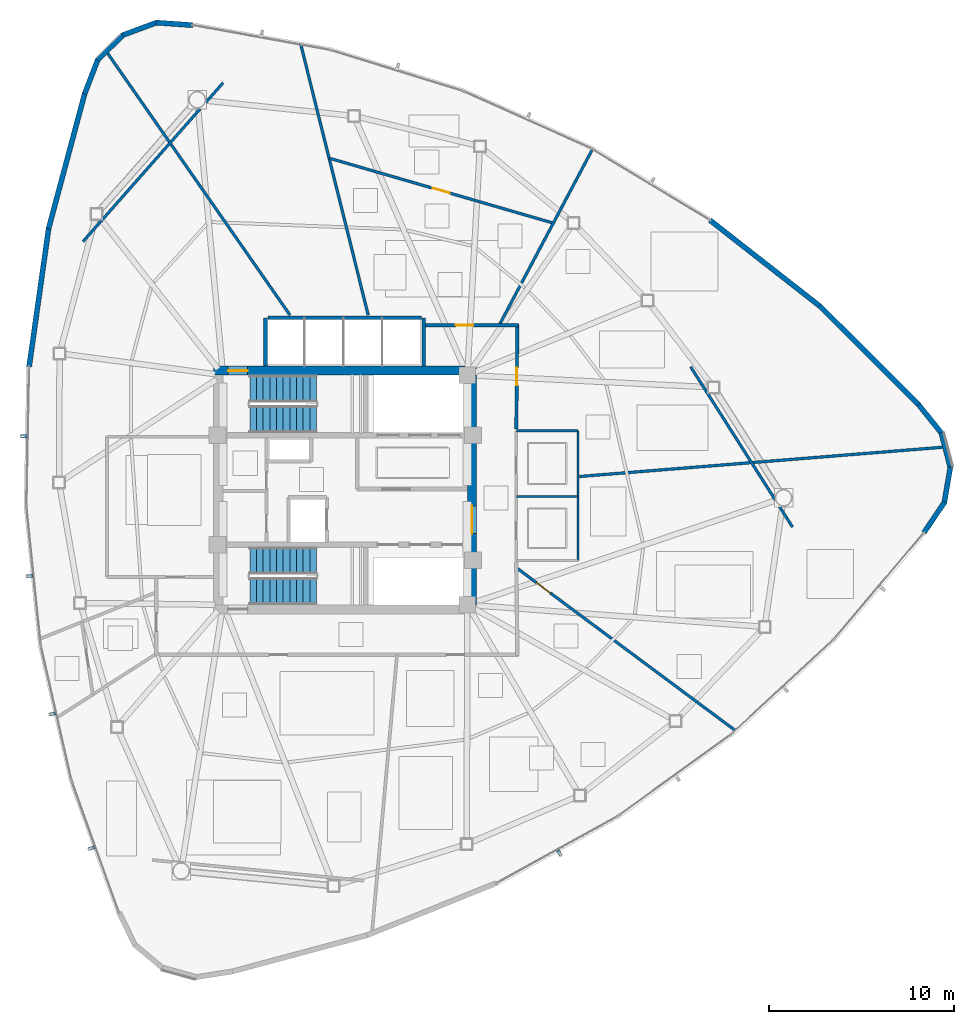
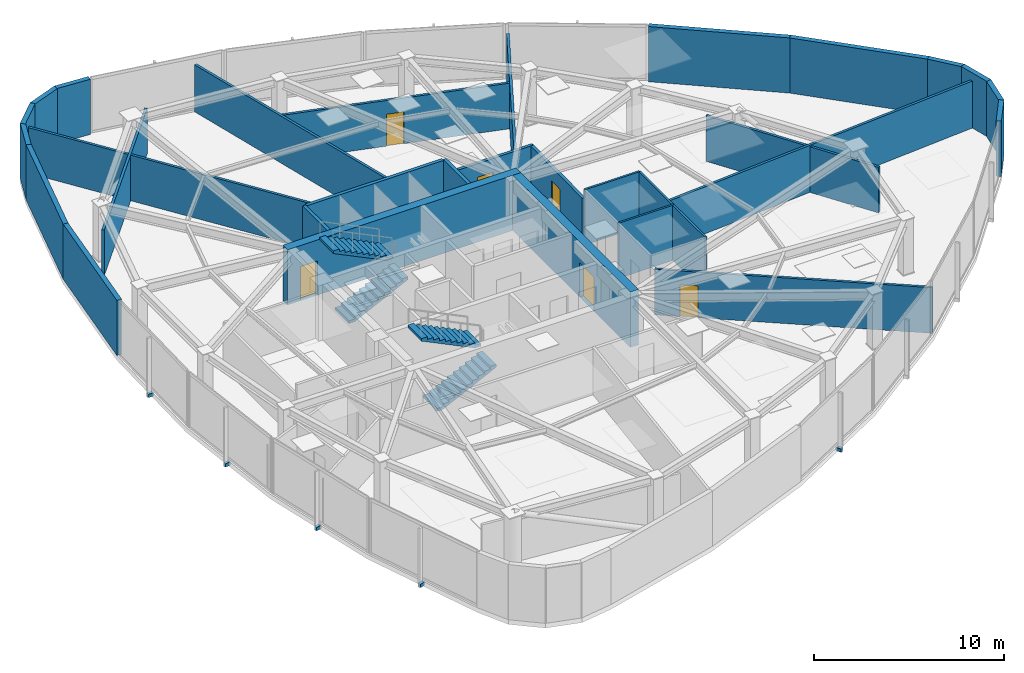
# One storey, part 12 of 17: 30 walls, 6 doors, 5 discrete accessories, 4 stair flights, 6 openings, 2 elements without a shape of their own.
"""IFC4 building model written with IfcOpenShell, lengths in metres."""

from ifc_helpers import new_model, si_unit, direction, frame, frame_2d, origin, origin_2d, place, context, subcontext, project, spatial, polyline, rectangle, outline, extrude, source, transform, mapped, material, layer, layer_set, type_object, type_shapes, element, fill, aggregate, save


model = new_model("IFC4")

# Units and contexts
model_context = context("Model", 3, precision=1e-05, world=origin(), true_north=direction((0.0, 1.0)))
body_context = subcontext(model_context, "Body", "Model", "MODEL_VIEW")
ifc_project = project(units=[si_unit("LENGTHUNIT", "METRE"), si_unit("AREAUNIT", "SQUARE_METRE"), si_unit("VOLUMEUNIT", "CUBIC_METRE"), si_unit("PLANEANGLEUNIT", "RADIAN"), si_unit("MASSUNIT", "GRAM", prefix="KILO")], contexts=[model_context])

# Site, building, storey
site_placement = place(None, origin())
site = spatial("IfcSite", under=ifc_project, at=site_placement, CompositionType="ELEMENT")
building_placement = place(site_placement, origin())
building = spatial("IfcBuilding", under=site, at=building_placement, Name="Tavelor Broadcast Tower", CompositionType="ELEMENT")
storey_placement = place(building_placement, frame((0.0, 0.0, 169.5)))
storey = spatial("IfcBuildingStorey", under=building, at=storey_placement, Name="L40", CompositionType="ELEMENT", Elevation=169.5)

# Wall, opening, door
ifc_material_1 = material(Name="Concrete C50/60", Category="concrete")
ifc_layer_1 = layer(ifc_material_1, 0.5)
ifc_layer_set_1 = layer_set([ifc_layer_1], Name="Concrete C50/60")
wall_type_1 = type_object("IfcWallType", Name="Core Shear Wall 500 mm", PredefinedType="SHEAR", material=ifc_layer_set_1)
wall_1_placement = place(storey_placement, frame((42.89990234375, 51.449951171875, 0.0), z_axis=(0.0, 0.0, 1.0), x_axis=(1.0, 0.0, 0.0)))
wall_1 = element("IfcWall", 1, at=wall_1_placement, inside=storey, type_object=wall_type_1, Name="L40 Central Core Shear Wall N", PredefinedType="SHEAR", context=body_context, shape_type="SweptSolid", body=[
    extrude(rectangle(XDim=14.2001953125, YDim=0.5, at=frame_2d((7.10009765625, 0.0))), origin(), (0.0, 0.0, 1.0), 3.550048828125),
])
opening_1_placement = place(wall_1_placement, frame((0.780029296875, 0.0, 0.0)))
opening_1 = element("IfcOpeningElement", 2, at=opening_1_placement, cuts=wall_1, Name="Opening DR11", PredefinedType="OPENING", context=body_context, shape_type="SweptSolid", body=[
    extrude(rectangle(XDim=1.050048828125, YDim=2.199951171875, at=frame_2d((0.52490234375, 1.10009765625))), frame((0.0, 0.260009765625, 0.0), z_axis=(0.0, -1.0, 0.0), x_axis=(1.0, 0.0, 0.0)), (0.0, 0.0, 1.0), 0.52001953125),
])
ifc_material_2 = material(Name="Steel S355", Category="steel")
door_type_1 = type_object("IfcDoorType", Name="Stair Core Fire Escape Door 1050x2200", OperationType="NOTDEFINED", PredefinedType="DOOR", material=ifc_material_2)
door_1_placement = place(opening_1_placement, origin())
door_1 = element("IfcDoor", 3, at=door_1_placement, inside=storey, type_object=door_type_1, Name="L40 Stair ST1 Protected Exit Door", OperationType="SINGLE_SWING_LEFT", OverallHeight=2.199951171875, OverallWidth=1.050048828125, PredefinedType="DOOR", context=body_context, shape_type="SweptSolid", body=[
    extrude(rectangle(XDim=1.050048828125, YDim=2.199951171875, at=frame_2d((0.52490234375, 1.10009765625))), frame((0.0, 0.02490234375, 0.0), z_axis=(0.0, -1.0, 0.0), x_axis=(1.0, 0.0, 0.0)), (0.0, 0.0, 1.0), 0.050048828125),
])
fill(opening_1, door_1)

wall_2_placement = place(storey_placement, frame((56.85009765625, 38.800048828125, 0.0), z_axis=(0.0, 0.0, 1.0), x_axis=(0.0, 1.0, 0.0)))
wall_2 = element("IfcWall", 4, at=wall_2_placement, inside=storey, type_object=wall_type_1, Name="L40 Central Core Shear Wall E", PredefinedType="SHEAR", context=body_context, shape_type="SweptSolid", body=[
    extrude(rectangle(XDim=12.39990234375, YDim=0.5, at=frame_2d((6.199951171875, 0.0))), origin(), (0.0, 0.0, 1.0), 3.550048828125),
])
opening_2_placement = place(wall_2_placement, frame((3.85009765625, 0.0, 0.0)))
opening_2 = element("IfcOpeningElement", 5, at=opening_2_placement, cuts=wall_2, Name="Opening DR14", PredefinedType="OPENING", context=body_context, shape_type="SweptSolid", body=[
    extrude(rectangle(XDim=1.5, YDim=2.199951171875, at=frame_2d((0.75, 1.10009765625))), frame((0.0, 0.260009765625, 0.0), z_axis=(0.0, -1.0, 0.0), x_axis=(1.0, 0.0, 0.0)), (0.0, 0.0, 1.0), 0.52001953125),
])
door_type_2 = type_object("IfcDoorType", Name="Firefighting Lobby Double Fire Door 1500x2200", OperationType="NOTDEFINED", PredefinedType="DOOR", material=ifc_material_2)
door_2_placement = place(opening_2_placement, origin())
door_2 = element("IfcDoor", 6, at=door_2_placement, inside=storey, type_object=door_type_2, Name="L40 Central Core Lobby Fire Door", OperationType="SINGLE_SWING_LEFT", OverallHeight=2.199951171875, OverallWidth=1.5, PredefinedType="DOOR", context=body_context, shape_type="SweptSolid", body=[
    extrude(rectangle(XDim=1.5, YDim=2.199951171875, at=frame_2d((0.75, 1.10009765625))), frame((0.0, 0.02490234375, 0.0), z_axis=(0.0, -1.0, 0.0), x_axis=(1.0, 0.0, 0.0)), (0.0, 0.0, 1.0), 0.050048828125),
])
fill(opening_2, door_2)

ifc_material_3 = material(Name="Calcium Silicate Fire Board 180 mm", Category="gypsum")
ifc_layer_2 = layer(ifc_material_3, 0.179931640625)
ifc_layer_set_2 = layer_set([ifc_layer_2], Name="Calcium Silicate Fire Board 180 mm")
wall_type_2 = type_object("IfcWallType", Name="Fire-Rated Corridor Partition Wall 180 mm", PredefinedType="PARTITIONING", material=ifc_layer_set_2)
wall_3_placement = place(storey_placement, frame((54.300048828125, 53.89990234375, 0.0), z_axis=(0.0, 0.0, 1.0), x_axis=(1.0, 0.0, 0.0)))
wall_3 = element("IfcWall", 7, at=wall_3_placement, inside=storey, type_object=wall_type_2, Name="L40 Corridor Compartment Wall 01", PredefinedType="PARTITIONING", context=body_context, shape_type="SweptSolid", body=[
    extrude(rectangle(XDim=5.050048828125, YDim=0.179931640625, at=frame_2d((2.52490234375, 0.0))), origin(), (0.0, 0.0, 1.0), 2.93505859375),
])
opening_3_placement = place(wall_3_placement, frame((1.67431640625, 0.0, 0.0)))
opening_3 = element("IfcOpeningElement", 8, at=opening_3_placement, cuts=wall_3, Name="Opening DR18", PredefinedType="OPENING", context=body_context, shape_type="SweptSolid", body=[
    extrude(rectangle(XDim=0.949951171875, YDim=2.050048828125, at=frame_2d((0.47509765625, 1.02490234375))), frame((0.0, 0.10009765625, 0.0), z_axis=(0.0, -1.0, 0.0), x_axis=(1.0, 0.0, 0.0)), (0.0, 0.0, 1.0), 0.199951171875),
])
ifc_material_4 = material(Name="Timber Solid Core Hardwood", Category="wood")
door_type_3 = type_object("IfcDoorType", Name="Corridor Rated Compartment Door 950x2050", OperationType="NOTDEFINED", PredefinedType="DOOR", material=ifc_material_4)
door_3_placement = place(opening_3_placement, origin())
door_3 = element("IfcDoor", 9, at=door_3_placement, inside=storey, type_object=door_type_3, Name="L40 Technical Mail and Post Room Door R8", OperationType="SINGLE_SWING_LEFT", OverallHeight=2.050048828125, OverallWidth=0.949951171875, PredefinedType="DOOR", context=body_context, shape_type="SweptSolid", body=[
    extrude(rectangle(XDim=0.949951171875, YDim=2.050048828125, at=frame_2d((0.47509765625, 1.02490234375))), frame((0.0, 0.02490234375, 0.0), z_axis=(0.0, -1.0, 0.0), x_axis=(1.0, 0.0, 0.0)), (0.0, 0.0, 1.0), 0.050048828125),
])
fill(opening_3, door_3)

wall_4_placement = place(storey_placement, frame((59.300537109375, 53.949951171875, 0.0), z_axis=(0.0, 0.0, 1.0), x_axis=(-0.010629422803, -0.99994350609, 0.0)))
wall_4 = element("IfcWall", 10, at=wall_4_placement, inside=storey, type_object=wall_type_2, Name="L40 Corridor Compartment Wall 02", PredefinedType="PARTITIONING", context=body_context, shape_type="SweptSolid", body=[
    extrude(rectangle(XDim=5.650146484375, YDim=0.179931640625, at=frame_2d((2.8251953125, 0.0))), origin(), (0.0, 0.0, 1.0), 2.93505859375),
])
opening_4_placement = place(wall_4_placement, frame((2.35009765625, 0.0, 0.0)))
opening_4 = element("IfcOpeningElement", 11, at=opening_4_placement, cuts=wall_4, Name="Opening DR18", PredefinedType="OPENING", context=body_context, shape_type="SweptSolid", body=[
    extrude(rectangle(XDim=0.949951171875, YDim=2.050048828125, at=frame_2d((0.47509765625, 1.02490234375))), frame((0.0, 0.10009765625, 0.0), z_axis=(0.0, -1.0, 0.0), x_axis=(1.0, 0.0, 0.0)), (0.0, 0.0, 1.0), 0.199951171875),
])
door_4_placement = place(opening_4_placement, origin())
door_4 = element("IfcDoor", 12, at=door_4_placement, inside=storey, type_object=door_type_3, Name="L40 Digital Publishing Workspace Door R6", OperationType="SINGLE_SWING_RIGHT", OverallHeight=2.050048828125, OverallWidth=0.949951171875, PredefinedType="DOOR", context=body_context, shape_type="SweptSolid", body=[
    extrude(rectangle(XDim=0.949951171875, YDim=2.050048828125, at=frame_2d((0.47509765625, 1.02490234375))), frame((0.0, 0.02490234375, 0.0), z_axis=(0.0, -1.0, 0.0), x_axis=(1.0, 0.0, 0.0)), (0.0, 0.0, 1.0), 0.050048828125),
])
fill(opening_4, door_4)

# Walls
ifc_material_5 = material(Name="Precast Concrete C40/50", Category="concrete")
ifc_layer_3 = layer(ifc_material_5, 0.280029296875)
ifc_layer_set_3 = layer_set([ifc_layer_3], Name="Precast Concrete C40/50")
wall_type_3 = type_object("IfcWallType", Name="Insulated Precast Terracotta Facade Wall 280 mm", PredefinedType="STANDARD", material=ifc_layer_set_3)
wall_5_placement = place(storey_placement, frame((41.754150390625, 70.10693359375, 0.0), z_axis=(0.0, 0.0, 1.0), x_axis=(-0.997501376627, 0.070647035512, 0.0)))
element("IfcWall", 13, at=wall_5_placement, inside=storey, type_object=wall_type_3, Name="L40 Rounded Corner Structural Cladding Pier 01", PredefinedType="STANDARD", context=body_context, shape_type="SweptSolid", body=[
    extrude(rectangle(XDim=1.96630859375, YDim=0.280029296875, at=frame_2d((0.983154296875, 0.0))), origin(), (0.0, 0.0, 1.0), 3.550048828125),
])
wall_6_placement = place(storey_placement, frame((39.82177734375, 70.25, 0.0), z_axis=(0.0, 0.0, 1.0), x_axis=(-0.938204439419, -0.346081536426, 0.0)))
element("IfcWall", 14, at=wall_6_placement, inside=storey, type_object=wall_type_3, Name="L40 Rounded Corner Structural Cladding Pier 02", PredefinedType="STANDARD", context=body_context, shape_type="SweptSolid", body=[
    extrude(rectangle(XDim=1.954833984375, YDim=0.280029296875, at=frame_2d((0.9775390625, 0.0))), origin(), (0.0, 0.0, 1.0), 3.550048828125),
])
wall_7_placement = place(storey_placement, frame((38.0126953125, 69.589111328125, 0.0), z_axis=(0.0, 0.0, 1.0), x_axis=(-0.712705144736, -0.701463738668, 0.0)))
element("IfcWall", 15, at=wall_7_placement, inside=storey, type_object=wall_type_3, Name="L40 Rounded Corner Structural Cladding Pier 03", PredefinedType="STANDARD", context=body_context, shape_type="SweptSolid", body=[
    extrude(rectangle(XDim=1.95458984375, YDim=0.280029296875, at=frame_2d((0.977294921875, 0.0))), origin(), (0.0, 0.0, 1.0), 3.550048828125),
])
wall_8_placement = place(storey_placement, frame((36.6357421875, 68.242431640625, 0.0), z_axis=(0.0, 0.0, 1.0), x_axis=(-0.36076548545, -0.932656563001, 0.0)))
element("IfcWall", 16, at=wall_8_placement, inside=storey, type_object=wall_type_3, Name="L40 Rounded Corner Structural Cladding Pier 04", PredefinedType="STANDARD", context=body_context, shape_type="SweptSolid", body=[
    extrude(rectangle(XDim=1.977294921875, YDim=0.280029296875, at=frame_2d((0.98876953125, 0.0))), origin(), (0.0, 0.0, 1.0), 3.550048828125),
])
wall_9_placement = place(storey_placement, frame((35.931640625, 66.4267578125, 0.0), z_axis=(0.0, 0.0, 1.0), x_axis=(-0.258417390999, -0.966033359688, 0.0)))
element("IfcWall", 17, at=wall_9_placement, inside=storey, type_object=wall_type_3, Name="L40 Rounded Corner Structural Cladding Pier 05", PredefinedType="STANDARD", context=body_context, shape_type="SweptSolid", body=[
    extrude(rectangle(XDim=7.5693359375, YDim=0.280029296875, at=frame_2d((3.78466796875, 0.0))), origin(), (0.0, 0.0, 1.0), 3.550048828125),
])
wall_10_placement = place(storey_placement, frame((33.9814453125, 59.143798828125, 0.0), z_axis=(0.0, 0.0, 1.0), x_axis=(-0.139593892342, -0.990208839196, 0.0)))
element("IfcWall", 18, at=wall_10_placement, inside=storey, type_object=wall_type_3, Name="L40 Rounded Corner Structural Cladding Pier 06", PredefinedType="STANDARD", context=body_context, shape_type="SweptSolid", body=[
    extrude(rectangle(XDim=7.55712890625, YDim=0.280029296875, at=frame_2d((3.778564453125, 0.0))), origin(), (0.0, 0.0, 1.0), 3.550048828125),
])
wall_11_placement = place(storey_placement, frame((81.26611328125, 42.705322265625, 0.0), z_axis=(0.0, 0.0, 1.0), x_axis=(0.559961081022, 0.82851891212, 0.0)))
element("IfcWall", 19, at=wall_11_placement, inside=storey, type_object=wall_type_3, Name="L40 Rounded Corner Structural Cladding Pier 21", PredefinedType="STANDARD", context=body_context, shape_type="SweptSolid", body=[
    extrude(rectangle(XDim=1.96630859375, YDim=0.280029296875, at=frame_2d((0.983154296875, 0.0))), origin(), (0.0, 0.0, 1.0), 3.550048828125),
])
wall_12_placement = place(storey_placement, frame((82.356201171875, 44.307373046875, 0.0), z_axis=(0.0, 0.0, 1.0), x_axis=(0.169358991923, 0.985554428662, 0.0)))
element("IfcWall", 20, at=wall_12_placement, inside=storey, type_object=wall_type_3, Name="L40 Rounded Corner Structural Cladding Pier 22", PredefinedType="STANDARD", context=body_context, shape_type="SweptSolid", body=[
    extrude(rectangle(XDim=1.954833984375, YDim=0.280029296875, at=frame_2d((0.9775390625, 0.0))), origin(), (0.0, 0.0, 1.0), 3.550048828125),
])
wall_13_placement = place(storey_placement, frame((82.6884765625, 46.20458984375, 0.0), z_axis=(0.0, 0.0, 1.0), x_axis=(-0.251196239359, 0.967936180402, 0.0)))
element("IfcWall", 21, at=wall_13_placement, inside=storey, type_object=wall_type_3, Name="L40 Rounded Corner Structural Cladding Pier 23", PredefinedType="STANDARD", context=body_context, shape_type="SweptSolid", body=[
    extrude(rectangle(XDim=1.95458984375, YDim=0.280029296875, at=frame_2d((0.977294921875, 0.0))), origin(), (0.0, 0.0, 1.0), 3.550048828125),
])
wall_14_placement = place(storey_placement, frame((82.210693359375, 48.0703125, 0.0), z_axis=(0.0, 0.0, 1.0), x_axis=(-0.627356577489, 0.778732126396, 0.0)))
element("IfcWall", 22, at=wall_14_placement, inside=storey, type_object=wall_type_3, Name="L40 Rounded Corner Structural Cladding Pier 24", PredefinedType="STANDARD", context=body_context, shape_type="SweptSolid", body=[
    extrude(rectangle(XDim=1.977294921875, YDim=0.280029296875, at=frame_2d((0.98876953125, 0.0))), origin(), (0.0, 0.0, 1.0), 3.550048828125),
])
wall_15_placement = place(storey_placement, frame((80.990234375, 49.587890625, 0.0), z_axis=(0.0, 0.0, 1.0), x_axis=(-0.707397008537, 0.706816434665, 0.0)))
element("IfcWall", 23, at=wall_15_placement, inside=storey, type_object=wall_type_3, Name="L40 Rounded Corner Structural Cladding Pier 25", PredefinedType="STANDARD", context=body_context, shape_type="SweptSolid", body=[
    extrude(rectangle(XDim=7.5693359375, YDim=0.280029296875, at=frame_2d((3.78466796875, 0.0))), origin(), (0.0, 0.0, 1.0), 3.550048828125),
])
wall_16_placement = place(storey_placement, frame((75.658203125, 54.918212890625, 0.0), z_axis=(0.0, 0.0, 1.0), x_axis=(-0.787742179361, 0.616005080219, 0.0)))
element("IfcWall", 24, at=wall_16_placement, inside=storey, type_object=wall_type_3, Name="L40 Rounded Corner Structural Cladding Pier 26", PredefinedType="STANDARD", context=body_context, shape_type="SweptSolid", body=[
    extrude(rectangle(XDim=7.55712890625, YDim=0.280029296875, at=frame_2d((3.778564453125, 0.0))), origin(), (0.0, 0.0, 1.0), 3.550048828125),
])
ifc_material_6 = material(Name="Gypsum Acoustic Plasterboard 150 mm", Category="gypsum")
ifc_layer_4 = layer(ifc_material_6, 0.14990234375)
ifc_layer_set_4 = layer_set([ifc_layer_4], Name="Gypsum Acoustic Plasterboard 150 mm")
wall_type_4 = type_object("IfcWallType", Name="Interior Acoustic Partition Wall 150 mm", PredefinedType="PARTITIONING", material=ifc_layer_set_4)
wall_17_placement = place(storey_placement, frame((43.399658203125, 66.988525390625, 0.0), z_axis=(0.0, 0.0, 1.0), x_axis=(-0.661622343701, -0.749837231881, 0.0)))
element("IfcWall", 25, at=wall_17_placement, inside=storey, type_object=wall_type_4, Name="L40 Corner Tube Brace Furring Wall 1", PredefinedType="PARTITIONING", context=body_context, shape_type="SweptSolid", body=[
    extrude(rectangle(XDim=11.42724609375, YDim=0.14990234375, at=frame_2d((5.713623046875, 0.0))), origin(), (0.0, 0.0, 1.0), 2.93505859375),
])
wall_18_placement = place(storey_placement, frame((74.16259765625, 42.9931640625, 0.0), z_axis=(0.0, 0.0, 1.0), x_axis=(-0.53628142437, 0.844039237166, 0.0)))
element("IfcWall", 26, at=wall_18_placement, inside=storey, type_object=wall_type_4, Name="L40 Corner Tube Brace Furring Wall 3", PredefinedType="PARTITIONING", context=body_context, shape_type="SweptSolid", body=[
    extrude(rectangle(XDim=10.266845703125, YDim=0.14990234375, at=frame_2d((5.13330078125, 0.0))), origin(), (0.0, 0.0, 1.0), 2.93505859375),
])
wall_19_placement = place(storey_placement, frame((51.243896484375, 54.449951171875, 0.0), z_axis=(0.0, 0.0, 1.0), x_axis=(-0.241925259113, 0.970294887652, 0.0)))
element("IfcWall", 27, at=wall_19_placement, inside=storey, type_object=wall_type_4, Name="L40 Radial Compartment Wall 01", PredefinedType="PARTITIONING", context=body_context, shape_type="SweptSolid", body=[
    extrude(rectangle(XDim=15.0595703125, YDim=0.14990234375, at=frame_2d((7.52978515625, 0.0))), origin(), (0.0, 0.0, 1.0), 3.02490234375),
])
wall_20_placement = place(storey_placement, frame((47.0166015625, 54.449951171875, 0.0), z_axis=(0.0, 0.0, 1.0), x_axis=(-0.571606525972, 0.820527866356, 0.0)))
element("IfcWall", 28, at=wall_20_placement, inside=storey, type_object=wall_type_4, Name="L40 Radial Compartment Wall 02", PredefinedType="PARTITIONING", context=body_context, shape_type="SweptSolid", body=[
    extrude(rectangle(XDim=17.363037109375, YDim=0.14990234375, at=frame_2d((8.681640625, 0.0))), origin(), (0.0, 0.0, 1.0), 2.93505859375),
])

# Wall, opening, door
wall_21_placement = place(storey_placement, frame((59.244140625, 40.80419921875, 0.0), z_axis=(0.0, 0.0, 1.0), x_axis=(0.80252006717, -0.596625126682, 0.0)))
wall_21 = element("IfcWall", 29, at=wall_21_placement, inside=storey, type_object=wall_type_4, Name="L40 Radial Compartment Wall 06", PredefinedType="PARTITIONING", context=body_context, shape_type="SweptSolid", body=[
    extrude(rectangle(XDim=14.74609375, YDim=0.14990234375, at=frame_2d((7.373046875, 0.0))), origin(), (0.0, 0.0, 1.0), 2.93505859375),
])
opening_5_placement = place(wall_21_placement, frame((1.35009765625, 0.0, 0.0)))
opening_5 = element("IfcOpeningElement", 30, at=opening_5_placement, cuts=wall_21, Name="Opening DR18", PredefinedType="OPENING", context=body_context, shape_type="SweptSolid", body=[
    extrude(rectangle(XDim=0.949951171875, YDim=2.050048828125, at=frame_2d((0.47509765625, 1.02490234375))), frame((0.0, 0.0849609375, 0.0), z_axis=(0.0, -1.0, 0.0), x_axis=(1.0, 0.0, 0.0)), (0.0, 0.0, 1.0), 0.169921875),
])
door_5_placement = place(opening_5_placement, origin())
door_5 = element("IfcDoor", 31, at=door_5_placement, inside=storey, type_object=door_type_3, Name="L40 Suite Connecting Door 7", OperationType="SINGLE_SWING_RIGHT", OverallHeight=2.050048828125, OverallWidth=0.949951171875, PredefinedType="DOOR", context=body_context, shape_type="SweptSolid", body=[
    extrude(rectangle(XDim=0.949951171875, YDim=2.050048828125, at=frame_2d((0.47509765625, 1.02490234375))), frame((0.0, 0.02490234375, 0.0), z_axis=(0.0, -1.0, 0.0), x_axis=(1.0, 0.0, 0.0)), (0.0, 0.0, 1.0), 0.050048828125),
])
fill(opening_5, door_5)

# Walls
wall_22_placement = place(storey_placement, frame((62.64990234375, 45.7294921875, 0.0), z_axis=(0.0, 0.0, 1.0), x_axis=(0.996766692053, 0.080350243401, 0.0)))
element("IfcWall", 32, at=wall_22_placement, inside=storey, type_object=wall_type_4, Name="L40 Radial Compartment Wall 07", PredefinedType="PARTITIONING", context=body_context, shape_type="SweptSolid", body=[
    extrude(rectangle(XDim=19.822998046875, YDim=0.14990234375, at=frame_2d((9.91162109375, 0.0))), origin(), (0.0, 0.0, 1.0), 3.02490234375),
])
wall_23_placement = place(storey_placement, frame((58.31689453125, 53.89990234375, 0.0), z_axis=(0.0, 0.0, 1.0), x_axis=(0.468264948914, 0.88358810405, 0.0)))
element("IfcWall", 33, at=wall_23_placement, inside=storey, type_object=wall_type_4, Name="L40 Radial Compartment Wall 08", PredefinedType="PARTITIONING", context=body_context, shape_type="SweptSolid", body=[
    extrude(rectangle(XDim=10.76318359375, YDim=0.14990234375, at=frame_2d((5.381591796875, 0.0))), origin(), (0.0, 0.0, 1.0), 2.93505859375),
])

# Wall, opening, door
wall_24_placement = place(storey_placement, frame((61.239990234375, 59.416015625, 0.0), z_axis=(0.0, 0.0, 1.0), x_axis=(-0.960484599617, 0.278333134747, 0.0)))
wall_24 = element("IfcWall", 34, at=wall_24_placement, inside=storey, type_object=wall_type_4, Name="L40 Suite Chord Partition Wall 01", PredefinedType="PARTITIONING", context=body_context, shape_type="SweptSolid", body=[
    extrude(rectangle(XDim=12.607421875, YDim=0.14990234375, at=frame_2d((6.3037109375, 0.0))), origin(), (0.0, 0.0, 1.0), 2.93505859375),
])
opening_6_placement = place(wall_24_placement, frame((5.828857421875, 0.0, 0.0)))
opening_6 = element("IfcOpeningElement", 35, at=opening_6_placement, cuts=wall_24, Name="Opening DR23", PredefinedType="OPENING", context=body_context, shape_type="SweptSolid", body=[
    extrude(rectangle(XDim=0.949951171875, YDim=2.050048828125, at=frame_2d((0.47509765625, 1.02490234375))), frame((0.0, 0.0849609375, 0.0), z_axis=(0.0, -1.0, 0.0), x_axis=(1.0, 0.0, 0.0)), (0.0, 0.0, 1.0), 0.169921875),
])
door_type_4 = type_object("IfcDoorType", Name="Editorial Room Acoustic Door 950x2050", OperationType="NOTDEFINED", PredefinedType="DOOR", material=ifc_material_4)
door_6_placement = place(opening_6_placement, origin())
door_6 = element("IfcDoor", 36, at=door_6_placement, inside=storey, type_object=door_type_4, Name="L40 Outer Suite Partition Door 1", OperationType="SINGLE_SWING_LEFT", OverallHeight=2.050048828125, OverallWidth=0.949951171875, PredefinedType="DOOR", context=body_context, shape_type="SweptSolid", body=[
    extrude(rectangle(XDim=0.949951171875, YDim=2.050048828125, at=frame_2d((0.47509765625, 1.02490234375))), frame((0.0, 0.02490234375, 0.0), z_axis=(0.0, -1.0, 0.0), x_axis=(1.0, 0.0, 0.0)), (0.0, 0.0, 1.0), 0.050048828125),
])
fill(opening_6, door_6)

# Walls
ifc_material_7 = material(Name="Concrete Blockwork 200 mm", Category="masonry")
ifc_layer_5 = layer(ifc_material_7, 0.199951171875)
ifc_layer_set_5 = layer_set([ifc_layer_5], Name="Concrete Blockwork 200 mm")
wall_type_5 = type_object("IfcWallType", Name="Lift Hoistway Rated Front Wall 200 mm", PredefinedType="PARTITIONING", material=ifc_layer_set_5)
wall_25_placement = place(storey_placement, frame((45.820068359375, 54.300048828125, 0.0), z_axis=(0.0, 0.0, 1.0), x_axis=(1.0, 0.0, 0.0)))
element("IfcWall", 37, at=wall_25_placement, inside=storey, type_object=wall_type_5, Name="L40 High-Rise Lift Hoistway Front Wall", PredefinedType="PARTITIONING", context=body_context, shape_type="SweptSolid", body=[
    extrude(rectangle(XDim=8.309814453125, YDim=0.199951171875, at=frame_2d((4.15478515625, 0.0))), origin(), (0.0, 0.0, 1.0), 3.550048828125),
])
ifc_layer_6 = layer(ifc_material_7, 0.199951171875)
ifc_layer_set_6 = layer_set([ifc_layer_6], Name="Concrete Blockwork 200 mm")
wall_type_6 = type_object("IfcWallType", Name="Lift and Riser Shaft Enclosure Wall 200 mm", PredefinedType="PARTITIONING", material=ifc_layer_set_6)
for number, where, z_axis, x_axis, name in (
    (38, (45.699951171875, 51.699951171875, 0.0), (0.0, 0.0, 1.0), (0.0, 1.0, 0.0), "L40 High-Rise Lift Shaft West Wall"),
    (39, (54.25, 51.699951171875, 0.0), (0.0, 0.0, 1.0), (0.0, 1.0, 0.0), "L40 High-Rise Lift Shaft East Wall"),
):
    element("IfcWall", number, at=place(storey_placement, frame(where, z_axis=z_axis, x_axis=x_axis)), inside=storey, type_object=wall_type_6, Name=name, PredefinedType="PARTITIONING", context=body_context, shape_type="SweptSolid", body=[
        extrude(rectangle(XDim=2.60009765625, YDim=0.199951171875, at=frame_2d((1.300048828125, 0.0))), origin(), (0.0, 0.0, 1.0), 3.550048828125),
    ])
ifc_material_8 = material(Name="Moisture-Resistant Plasterboard 120 mm", Category="gypsum")
ifc_layer_7 = layer(ifc_material_8, 0.1201171875)
ifc_layer_set_7 = layer_set([ifc_layer_7], Name="Moisture-Resistant Plasterboard 120 mm")
wall_type_7 = type_object("IfcWallType", Name="Moisture-Resistant Wet-Room Partition 120 mm", PredefinedType="PARTITIONING", material=ifc_layer_set_7)
for number, where, z_axis, x_axis, name in (
    (40, (59.239990234375, 44.64990234375, 0.0), (0.0, 0.0, 1.0), (1.0, 0.0, 0.0), "L40 Floor Washrooms Divider Wall"),
    (41, (59.239990234375, 48.199951171875, 0.0), (0.0, 0.0, 1.0), (1.0, 0.0, 0.0), "L40 Floor Washrooms North Wall"),
):
    element("IfcWall", number, at=place(storey_placement, frame(where, z_axis=z_axis, x_axis=x_axis)), inside=storey, type_object=wall_type_7, Name=name, PredefinedType="PARTITIONING", context=body_context, shape_type="SweptSolid", body=[
        extrude(rectangle(XDim=3.340087890625, YDim=0.1201171875, at=frame_2d((1.669921875, 0.0))), origin(), (0.0, 0.0, 1.0), 3.550048828125),
    ])
wall_26_placement = place(storey_placement, frame((62.580078125, 41.199951171875, 0.0), z_axis=(0.0, 0.0, 1.0), x_axis=(0.0, 1.0, 0.0)))
element("IfcWall", 42, at=wall_26_placement, inside=storey, type_object=wall_type_7, Name="L40 Floor Washrooms East Wall", PredefinedType="PARTITIONING", context=body_context, shape_type="SweptSolid", body=[
    extrude(rectangle(XDim=7.0, YDim=0.1201171875, at=frame_2d((3.5, 0.0))), origin(), (0.0, 0.0, 1.0), 3.550048828125),
])

# Stair, stair flights
ifc_material_9 = material(Name="Concrete C40/50", Category="concrete")
stair_type = type_object("IfcStairType", Name="Reinforced Concrete Protected Dogleg Stair 1450 mm", PredefinedType="HALF_TURN_STAIR", material=ifc_material_9)
stair_1_placement = place(storey_placement, origin())
stair_1 = element("IfcStair", 43, at=stair_1_placement, inside=storey, type_object=stair_type, Name="L40 Protected Core Exit Stair ST1", PredefinedType="HALF_TURN_STAIR")
stair_flight_type = type_object("IfcStairFlightType", Name="Reinforced Concrete Stair Flight 1450 mm", PredefinedType="STRAIGHT", material=ifc_material_9)
stair_flight_1_placement = place(storey_placement, frame((44.85009765625, 48.824951171875, 0.0), z_axis=(0.0, 0.0, 1.0), x_axis=(1.0, 0.0, 0.0)))
stair_flight_1 = element("IfcStairFlight", 44, at=stair_flight_1_placement, type_object=stair_flight_type, Name="ST1 flight 1", NumberOfRisers=11, NumberOfTreads=10, PredefinedType="STRAIGHT", RiserHeight=0.175, TreadLength=0.36, context=body_context, shape_type="SweptSolid", body=[
    extrude(outline(polyline([(0.0, 0.0), (0.0, 0.175048828125), (0.360107421875, 0.175048828125), (0.360107421875, 0.35009765625), (0.719970703125, 0.35009765625), (0.719970703125, 0.52490234375), (1.080078125, 0.52490234375), (1.080078125, 0.699951171875), (1.43994140625, 0.699951171875), (1.43994140625, 0.875), (1.800048828125, 0.875), (1.800048828125, 1.050048828125), (2.159912109375, 1.050048828125), (2.159912109375, 1.22509765625), (2.52001953125, 1.22509765625), (2.52001953125, 1.39990234375), (2.8798828125, 1.39990234375), (2.8798828125, 1.574951171875), (3.239990234375, 1.574951171875), (3.239990234375, 1.75), (3.60009765625, 1.75), (3.60009765625, 1.925048828125), (3.60009765625, 1.583251953125), (0.3427734375, 0.0), (0.0, 0.0)])), frame((0.0, 0.72509765625, 0.0), z_axis=(0.0, -1.0, 0.0), x_axis=(1.0, 0.0, 0.0)), (0.0, 0.0, 1.0), 1.449951171875),
])
stair_flight_2_placement = place(storey_placement, frame((48.449951171875, 50.47509765625, 1.925048828125), z_axis=(0.0, 0.0, 1.0), x_axis=(-1.0, 0.0, 0.0)))
stair_flight_2 = element("IfcStairFlight", 45, at=stair_flight_2_placement, type_object=stair_flight_type, Name="ST1 flight 2", NumberOfRisers=11, NumberOfTreads=10, PredefinedType="STRAIGHT", RiserHeight=0.175, TreadLength=0.36, context=body_context, shape_type="SweptSolid", body=[
    extrude(outline(polyline([(0.0, 0.0), (0.0, 0.175048828125), (0.360107421875, 0.175048828125), (0.360107421875, 0.35009765625), (0.719970703125, 0.35009765625), (0.719970703125, 0.52490234375), (1.080078125, 0.52490234375), (1.080078125, 0.699951171875), (1.43994140625, 0.699951171875), (1.43994140625, 0.875), (1.800048828125, 0.875), (1.800048828125, 1.050048828125), (2.159912109375, 1.050048828125), (2.159912109375, 1.22509765625), (2.52001953125, 1.22509765625), (2.52001953125, 1.39990234375), (2.8798828125, 1.39990234375), (2.8798828125, 1.574951171875), (3.239990234375, 1.574951171875), (3.239990234375, 1.75), (3.60009765625, 1.75), (3.60009765625, 1.925048828125), (3.60009765625, 1.583251953125), (0.3427734375, 0.0), (0.0, 0.0)])), frame((0.0, 0.72509765625, 0.0), z_axis=(0.0, -1.0, 0.0), x_axis=(1.0, 0.0, 0.0)), (0.0, 0.0, 1.0), 1.449951171875),
])
aggregate(stair_1, [stair_flight_1, stair_flight_2])

stair_2_placement = place(storey_placement, origin())
stair_2 = element("IfcStair", 46, at=stair_2_placement, inside=storey, type_object=stair_type, Name="L40 Protected Core Exit Stair ST2", PredefinedType="HALF_TURN_STAIR")
stair_flight_3_placement = place(storey_placement, frame((44.85009765625, 39.52490234375, 0.0), z_axis=(0.0, 0.0, 1.0), x_axis=(1.0, 0.0, 0.0)))
stair_flight_3 = element("IfcStairFlight", 47, at=stair_flight_3_placement, type_object=stair_flight_type, Name="ST2 flight 1", NumberOfRisers=11, NumberOfTreads=10, PredefinedType="STRAIGHT", RiserHeight=0.175, TreadLength=0.36, context=body_context, shape_type="SweptSolid", body=[
    extrude(outline(polyline([(0.0, 0.0), (0.0, 0.175048828125), (0.360107421875, 0.175048828125), (0.360107421875, 0.35009765625), (0.719970703125, 0.35009765625), (0.719970703125, 0.52490234375), (1.080078125, 0.52490234375), (1.080078125, 0.699951171875), (1.43994140625, 0.699951171875), (1.43994140625, 0.875), (1.800048828125, 0.875), (1.800048828125, 1.050048828125), (2.159912109375, 1.050048828125), (2.159912109375, 1.22509765625), (2.52001953125, 1.22509765625), (2.52001953125, 1.39990234375), (2.8798828125, 1.39990234375), (2.8798828125, 1.574951171875), (3.239990234375, 1.574951171875), (3.239990234375, 1.75), (3.60009765625, 1.75), (3.60009765625, 1.925048828125), (3.60009765625, 1.583251953125), (0.3427734375, 0.0), (0.0, 0.0)])), frame((0.0, 0.72509765625, 0.0), z_axis=(0.0, -1.0, 0.0), x_axis=(1.0, 0.0, 0.0)), (0.0, 0.0, 1.0), 1.449951171875),
])
stair_flight_4_placement = place(storey_placement, frame((48.449951171875, 41.175048828125, 1.925048828125), z_axis=(0.0, 0.0, 1.0), x_axis=(-1.0, 0.0, 0.0)))
stair_flight_4 = element("IfcStairFlight", 48, at=stair_flight_4_placement, type_object=stair_flight_type, Name="ST2 flight 2", NumberOfRisers=11, NumberOfTreads=10, PredefinedType="STRAIGHT", RiserHeight=0.175, TreadLength=0.36, context=body_context, shape_type="SweptSolid", body=[
    extrude(outline(polyline([(0.0, 0.0), (0.0, 0.175048828125), (0.360107421875, 0.175048828125), (0.360107421875, 0.35009765625), (0.719970703125, 0.35009765625), (0.719970703125, 0.52490234375), (1.080078125, 0.52490234375), (1.080078125, 0.699951171875), (1.43994140625, 0.699951171875), (1.43994140625, 0.875), (1.800048828125, 0.875), (1.800048828125, 1.050048828125), (2.159912109375, 1.050048828125), (2.159912109375, 1.22509765625), (2.52001953125, 1.22509765625), (2.52001953125, 1.39990234375), (2.8798828125, 1.39990234375), (2.8798828125, 1.574951171875), (3.239990234375, 1.574951171875), (3.239990234375, 1.75), (3.60009765625, 1.75), (3.60009765625, 1.925048828125), (3.60009765625, 1.583251953125), (0.3427734375, 0.0), (0.0, 0.0)])), frame((0.0, 0.72509765625, 0.0), z_axis=(0.0, -1.0, 0.0), x_axis=(1.0, 0.0, 0.0)), (0.0, 0.0, 1.0), 1.449951171875),
])
aggregate(stair_2, [stair_flight_3, stair_flight_4])

# Discrete accessories
discrete_accessory_type = type_object("IfcDiscreteAccessoryType", Name="Stainless Baguette Outrigger Support Bracket 260x180", PredefinedType="BRACKET", material=ifc_material_2)
shared_shape = source(origin(), body_context, "Body", "SweptSolid", [
    extrude(rectangle(XDim=0.179931640625, YDim=0.340087890625, at=origin_2d()), origin(), (0.0, 0.0, 1.0), 0.216064453125),
])
type_shapes(discrete_accessory_type, [shared_shape])
for number, where, z_axis, x_axis, name in (
    (49, (32.63623046875, 47.900146484375, -0.2578125), (0.0, 0.0, 1.0), (-0.018848439715, -0.999822352381, 0.0), "L40 Baguette Outrigger Bracket 409"),
    (50, (32.952392578125, 40.355712890625, -0.2578125), (0.0, 0.0, 1.0), (0.102445313747, -0.99473863788, 0.0), "L40 Baguette Outrigger Bracket 410"),
    (51, (34.179443359375, 32.90478515625, -0.2578125), (0.0, 0.0, 1.0), (0.222059054235, -0.975033218117, 0.0), "L40 Baguette Outrigger Bracket 411"),
    (52, (36.298828125, 25.657470703125, -0.2578125), (0.0, 0.0, 1.0), (0.338409470269, -0.94099895347, 0.0), "L40 Baguette Outrigger Bracket 412"),
    (53, (61.5703125, 25.394775390625, -0.2578125), (0.0, 0.0, 1.0), (0.875295776291, 0.483587948575, 0.0), "L40 Baguette Outrigger Bracket 413"),
):
    element("IfcDiscreteAccessory", number, at=place(storey_placement, frame(where, z_axis=z_axis, x_axis=x_axis)), inside=storey, type_object=discrete_accessory_type, Name=name, PredefinedType="BRACKET", context=body_context, shape_type="MappedRepresentation", body=[
        mapped(shared_shape, transform((0.0, 0.0, 0.0), scale=1.0)),
    ])

save(model, "model.ifc")
